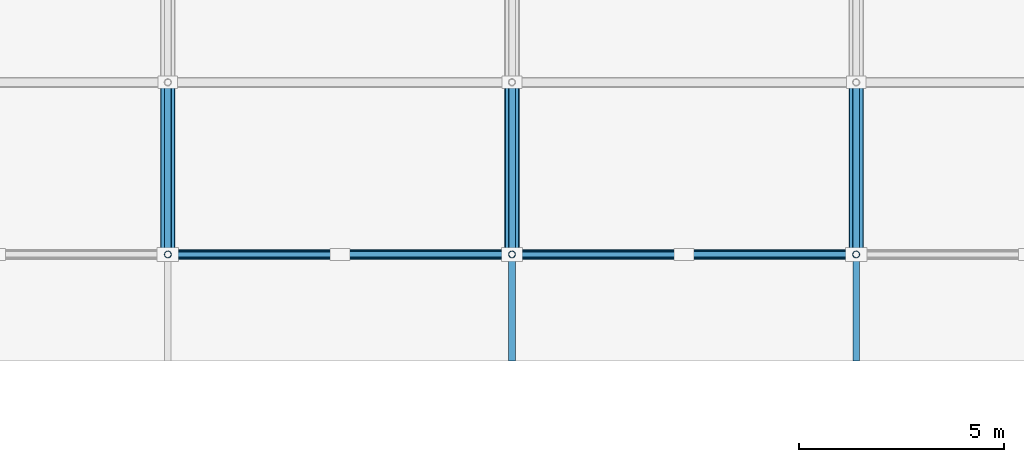
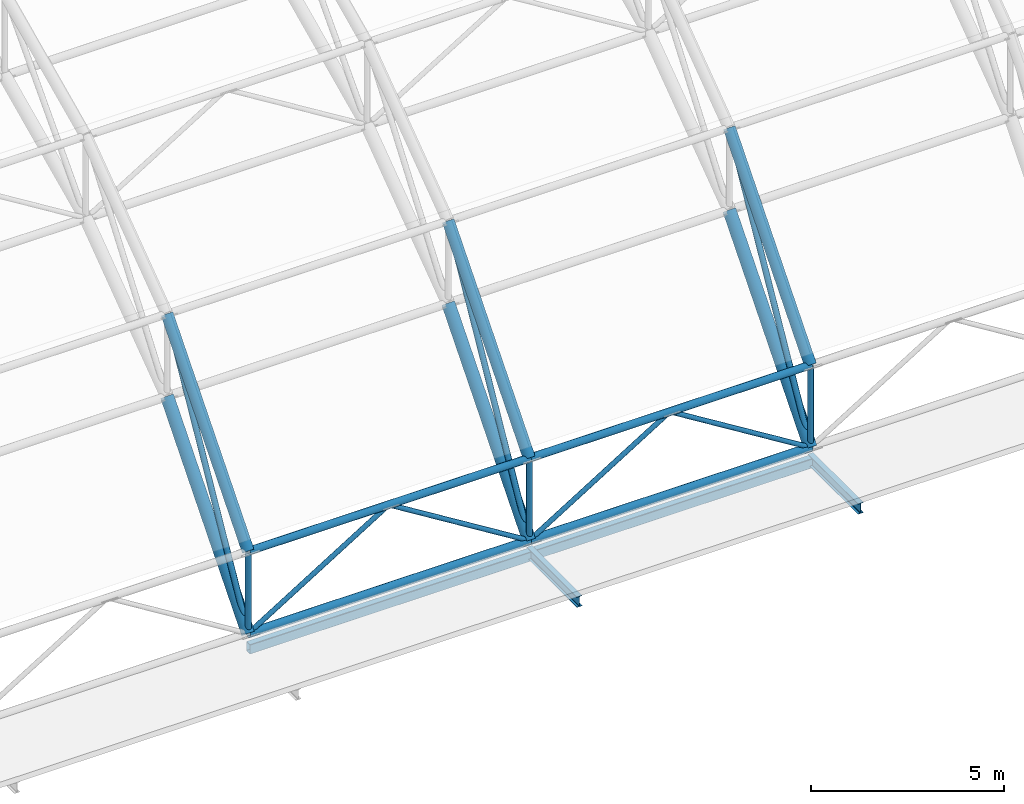
# One storey, part 29 of 103: 14 members, 10 beams.
"""IFC4 building model written with IfcOpenShell, lengths in metres."""

import ifcopenshell
import ifcopenshell.guid

model = None  # the IFC model being written
_history = None  # IfcOwnerHistory: only IFC2X3 demands one
_inside = {}  # id of a spatial element -> (the spatial element, [elements in it])
_under = {}  # id of a project, library or spatial element -> (it, [spatial elements below it])
_declared = {}  # id of a project -> (the project, [libraries it declares])
_typed = {}  # id of a type object -> (the type object, [elements of that type])
_made_of = {}  # id of a material, layer set ... -> (it, [elements and type objects made of it])


def new_model(schema):
    """Start an empty IFC model of exactly this schema.

    Asked for "IFC4X3", IfcOpenShell would pick the latest addendum, in which some entities
    have other attributes; the version numbers below select the first issue.
    IFC2X3 requires an IfcOwnerHistory on every rooted entity: one is made here for all.
    """
    global model, _history
    if schema == "IFC4X3":
        model = ifcopenshell.file(schema_version=(4, 3, 0, 0))
    else:
        model = ifcopenshell.file(schema=schema)
    _inside.clear()
    _under.clear()
    _declared.clear()
    _typed.clear()
    _made_of.clear()
    _history = None
    if model.schema == "IFC2X3":
        org = make("IfcOrganization", Name="unknown")
        user = make(
            "IfcPersonAndOrganization",
            ThePerson=make("IfcPerson", FamilyName="unknown"),
            TheOrganization=org,
        )
        app = make(
            "IfcApplication",
            ApplicationDeveloper=org,
            Version="unknown",
            ApplicationFullName="unknown",
            ApplicationIdentifier="unknown",
        )
        _history = make(
            "IfcOwnerHistory",
            OwningUser=user,
            OwningApplication=app,
            ChangeAction="ADDED",
            CreationDate=0,
        )
    return model


def make(cls, **values):
    """One entity of the class cls with the attributes given. An attribute that is None is left unset."""
    return model.create_entity(
        cls, **{name: value for name, value in values.items() if value is not None}
    )


def rooted(cls, **values):
    """An entity with a GlobalId (a new one), such as an element, a storey or a relation."""
    return make(cls, GlobalId=ifcopenshell.guid.new(), OwnerHistory=_history, **values)


def si_unit(unit_type, name, prefix=None):
    """IfcSIUnit, for example si_unit("LENGTHUNIT", "METRE", prefix="MILLI")."""
    return make("IfcSIUnit", UnitType=unit_type, Prefix=prefix, Name=name)


def assignment(units):
    """IfcUnitAssignment: the units of a project."""
    return None if units is None else make("IfcUnitAssignment", Units=units)


def point(xyz):
    """IfcCartesianPoint."""
    return None if xyz is None else make("IfcCartesianPoint", Coordinates=xyz)


def direction(xyz):
    """IfcDirection."""
    return None if xyz is None else make("IfcDirection", DirectionRatios=xyz)


def frame(location, z_axis=None, x_axis=None):
    """IfcAxis2Placement3D, a coordinate frame: its origin and axes. An axis left out is left unset."""
    return make(
        "IfcAxis2Placement3D",
        Location=point(location),
        Axis=direction(z_axis),
        RefDirection=direction(x_axis),
    )


def frame_2d(location, x_axis=None):
    """IfcAxis2Placement2D, a coordinate frame in the plane: its origin and x axis."""
    return make(
        "IfcAxis2Placement2D", Location=point(location), RefDirection=direction(x_axis)
    )


def origin():
    """The frame at (0, 0, 0) with its axes left unset."""
    return frame((0.0, 0.0, 0.0))


def origin_2d():
    """The frame at (0, 0) in the plane with its x axis left unset."""
    return frame_2d((0.0, 0.0))


def place(relative_to, where):
    """IfcLocalPlacement: puts the frame where relative to a parent placement (None: the world)."""
    return make(
        "IfcLocalPlacement", PlacementRelTo=relative_to, RelativePlacement=where
    )


def context(
    kind, dimensions, precision=None, world=None, true_north=None, identifier=None
):
    """IfcGeometricRepresentationContext, for example the 3D "Model" context."""
    return make(
        "IfcGeometricRepresentationContext",
        ContextIdentifier=identifier,
        ContextType=kind,
        CoordinateSpaceDimension=dimensions,
        Precision=precision,
        WorldCoordinateSystem=world,
        TrueNorth=true_north,
    )


def subcontext(parent, identifier, kind, view, scale=None):
    """IfcGeometricRepresentationSubContext, for example "Body" below "Model"."""
    return make(
        "IfcGeometricRepresentationSubContext",
        ContextIdentifier=identifier,
        ContextType=kind,
        ParentContext=parent,
        TargetScale=scale,
        TargetView=view,
    )


def project(units=None, contexts=None):
    """IfcProject with its units and contexts."""
    return rooted(
        "IfcProject",
        Name="project",
        RepresentationContexts=contexts,
        UnitsInContext=assignment(units),
    )


def spatial(cls, under=None, at=None, **own):
    """A site, building, storey or space (cls), placed at a placement, below another one or the project."""
    s = rooted(cls, ObjectPlacement=at, **own)
    if under is not None:
        _under.setdefault(under.id(), (under, []))[1].append(s)
    return s


def profile(cls, at=None, kind="AREA", **sizes):
    """A parametric profile (cls). Its sizes go by their IFC names, for example OverallWidth=200.0."""
    return make(cls, ProfileType=kind, Position=at, **sizes)


def hollow_rectangle(**sizes):
    """IfcRectangleHollowProfileDef."""
    return profile("IfcRectangleHollowProfileDef", **sizes)


def hollow_circle(**sizes):
    """IfcCircleHollowProfileDef."""
    return profile("IfcCircleHollowProfileDef", **sizes)


def i_section(**sizes):
    """IfcIShapeProfileDef."""
    return profile("IfcIShapeProfileDef", **sizes)


def extrude(swept, where, along, depth):
    """IfcExtrudedAreaSolid: the profile swept, set in the frame where, extruded along a direction by depth."""
    return make(
        "IfcExtrudedAreaSolid",
        SweptArea=swept,
        Position=where,
        ExtrudedDirection=direction(along),
        Depth=depth,
    )


def shape(context_of_items, identifier, shape_type, items):
    """IfcShapeRepresentation: the items that make up one representation, for example the "Body"."""
    return make(
        "IfcShapeRepresentation",
        ContextOfItems=context_of_items,
        RepresentationIdentifier=identifier,
        RepresentationType=shape_type,
        Items=items,
    )


def material(Name=None, Category=None):
    """IfcMaterial."""
    return make("IfcMaterial", Name=Name, Category=Category)


def material_profile(
    of_material, cross_section, Name=None, Category=None, Priority=None
):
    """IfcMaterialProfile: a cross section and its material."""
    return make(
        "IfcMaterialProfile",
        Name=Name,
        Material=of_material,
        Profile=cross_section,
        Priority=Priority,
        Category=Category,
    )


def profile_set(profiles, Name=None, composite=None):
    """IfcMaterialProfileSet."""
    return make(
        "IfcMaterialProfileSet",
        Name=Name,
        MaterialProfiles=profiles,
        CompositeProfile=composite,
    )


def made_of(thing, what):
    """Note that an element or type object is made of a material, layer set ...; save() writes the relation."""
    if what is not None:
        _made_of.setdefault(what.id(), (what, []))[1].append(thing)
    return thing


def type_object(cls, material=None, **own):
    """A type object (cls), such as IfcWallType, which elements share."""
    return made_of(rooted(cls, **own), material)


def element(
    cls,
    number,
    at=None,
    inside=None,
    cuts=None,
    type_object=None,
    material=None,
    context=None,
    identifier="Body",
    shape_type=None,
    held_by="IfcProductDefinitionShape",
    body=None,
    shapes=None,
    **own,
):
    """One element of the class cls, such as IfcWall. Its Tag is "e" and its number.

    at: its placement. inside: the storey or other place that contains it. cuts: it is an
    opening in that element (IfcRelVoidsElement). A single representation is given by context,
    identifier, shape_type and body (its items); several are given by shapes. held_by: the class
    of the entity that holds the representations. save() writes the other relations.
    """
    e = rooted(cls, Tag="e%d" % number, ObjectPlacement=at, **own)
    if body is not None:
        shapes = [shape(context, identifier, shape_type, body)]
    if shapes is not None:
        e.Representation = make(held_by, Representations=shapes)
    if inside is not None:
        _inside.setdefault(inside.id(), (inside, []))[1].append(e)
    if cuts is not None:
        rooted(
            "IfcRelVoidsElement", RelatingBuildingElement=cuts, RelatedOpeningElement=e
        )
    if type_object is not None:
        _typed.setdefault(type_object.id(), (type_object, []))[1].append(e)
    return made_of(e, material)


def aggregate(whole, parts):
    """IfcRelAggregates: a whole, such as a stair, and the parts it consists of."""
    return rooted("IfcRelAggregates", RelatingObject=whole, RelatedObjects=parts)


def save(model, path):
    """Write the relations noted so far, then the file.

    IfcRelAggregates (storeys below a building ...), IfcRelContainedInSpatialStructure (elements
    in a storey), IfcRelDefinesByType, IfcRelAssociatesMaterial and IfcRelDeclares: one each for
    every whole, place, type object, material and project.
    """
    for whole, parts in _under.values():
        aggregate(whole, parts)
    for where, things in _inside.values():
        rooted(
            "IfcRelContainedInSpatialStructure",
            RelatedElements=things,
            RelatingStructure=where,
        )
    for kind, things in _typed.values():
        rooted("IfcRelDefinesByType", RelatedObjects=things, RelatingType=kind)
    for what, things in _made_of.values():
        rooted("IfcRelAssociatesMaterial", RelatedObjects=things, RelatingMaterial=what)
    for by, libraries in _declared.values():
        rooted("IfcRelDeclares", RelatingContext=by, RelatedDefinitions=libraries)
    model.write(path)


model = new_model("IFC4")

# Units and contexts
model_context = context("Model", 3, precision=1e-05, world=origin(), true_north=direction((0.0, 1.0)))
body_context = subcontext(model_context, "Body", "Model", "MODEL_VIEW")
ifc_project = project(units=[si_unit("LENGTHUNIT", "METRE"), si_unit("AREAUNIT", "SQUARE_METRE"), si_unit("VOLUMEUNIT", "CUBIC_METRE"), si_unit("PLANEANGLEUNIT", "RADIAN"), si_unit("MASSUNIT", "GRAM", prefix="KILO")], contexts=[model_context])

# Site, building, storey
site_placement = place(None, origin())
site = spatial("IfcSite", under=ifc_project, at=site_placement, CompositionType="ELEMENT")
building_placement = place(site_placement, origin())
building = spatial("IfcBuilding", under=site, at=building_placement, Name="Varnapada Polytechnic", CompositionType="ELEMENT")
storey_placement = place(building_placement, frame((0.0, 0.0, 18.0)))
storey = spatial("IfcBuildingStorey", under=building, at=storey_placement, Name="L04", CompositionType="ELEMENT", Elevation=18.0)

# Beams
ifc_material = material(Name="Steel S355", Category="steel")
ifc_material_profile_1 = material_profile(ifc_material, i_section(OverallWidth=0.159912109375, OverallDepth=0.330078125, WebThickness=0.007568359375, FlangeThickness=0.011474609375, FilletRadius=0.01806640625, at=origin_2d()), Name="IPE 330")
ifc_profile_set_1 = profile_set([ifc_material_profile_1], Name="Steel S355")
beam_type_1 = type_object("IfcBeamType", Name="Clerestory monitor steel rafter SB-07 (IPE 330)", PredefinedType="BEAM", material=ifc_profile_set_1)
for number, where, z_axis, x_axis, name in (
    (1, (109.199951171875, 84.0, -0.35009765625), (0.0, -1.0, 0.0), (1.0, 0.0, 0.0), "Workshop eave shade outlooker S.8"),
    (2, (117.60009765625, 84.0, -0.35009765625), (0.0, -1.0, 0.0), (1.0, 0.0, 0.0), "Workshop eave shade outlooker S.9"),
):
    element("IfcBeam", number, at=place(storey_placement, frame(where, z_axis=z_axis, x_axis=x_axis)), inside=storey, type_object=beam_type_1, Name=name, PredefinedType="BEAM", context=body_context, shape_type="SweptSolid", body=[
        extrude(i_section(OverallWidth=0.159912109375, OverallDepth=0.330078125, WebThickness=0.007568359375, FlangeThickness=0.011474609375, FilletRadius=0.01806640625, at=origin_2d()), origin(), (0.0, 0.0, 1.0), 2.60009765625),
    ])

# Members
ifc_material_profile_2 = material_profile(ifc_material, hollow_circle(Radius=0.122314453125, WallThickness=0.008056640625, at=origin_2d()), Name="CHS 244.5x8.0")
ifc_profile_set_2 = profile_set([ifc_material_profile_2], Name="Steel S355")
member_type_1 = type_object("IfcMemberType", Name="Vaulted space frame longitudinal bottom chord SFC-01 (CHS 244.5x8.0)", PredefinedType="CHORD", material=ifc_profile_set_2)
member_1_placement = place(storey_placement, frame((100.800048828125, 84.0, 0.0), z_axis=(1.0, 0.0, 0.0), x_axis=(0.0, 1.0, 0.0)))
element("IfcMember", 3, at=member_1_placement, inside=storey, type_object=member_type_1, Name="Vaulted space frame longitudinal bottom chord 7.1", PredefinedType="CHORD", context=body_context, shape_type="SweptSolid", body=[
    extrude(hollow_circle(Radius=0.122314453125, WallThickness=0.008056640625, at=origin_2d()), origin(), (0.0, 0.0, 1.0), 8.39990234375),
])
member_2_placement = place(storey_placement, frame((109.199951171875, 84.0, 0.0), z_axis=(1.0, 0.0, 0.0), x_axis=(0.0, 1.0, 0.0)))
element("IfcMember", 4, at=member_2_placement, inside=storey, type_object=member_type_1, Name="Vaulted space frame longitudinal bottom chord 8.1", PredefinedType="CHORD", context=body_context, shape_type="SweptSolid", body=[
    extrude(hollow_circle(Radius=0.122314453125, WallThickness=0.008056640625, at=origin_2d()), origin(), (0.0, 0.0, 1.0), 8.400146484375),
])
ifc_material_profile_3 = material_profile(ifc_material, hollow_circle(Radius=0.109619140625, WallThickness=0.008056640625, at=origin_2d()), Name="CHS 219.1x8.0")
ifc_profile_set_3 = profile_set([ifc_material_profile_3], Name="Steel S355")
member_type_2 = type_object("IfcMemberType", Name="Vaulted space frame longitudinal top chord SFC-02 (CHS 219.1x8.0)", PredefinedType="CHORD", material=ifc_profile_set_3)
member_3_placement = place(storey_placement, frame((100.800048828125, 84.0, 2.60009765625), z_axis=(1.0, 0.0, 0.0), x_axis=(0.0, 1.0, 0.0)))
element("IfcMember", 5, at=member_3_placement, inside=storey, type_object=member_type_2, Name="Vaulted space frame longitudinal top chord 7.1", PredefinedType="CHORD", context=body_context, shape_type="SweptSolid", body=[
    extrude(hollow_circle(Radius=0.109619140625, WallThickness=0.008056640625, at=origin_2d()), origin(), (0.0, 0.0, 1.0), 8.39990234375),
])
member_4_placement = place(storey_placement, frame((109.199951171875, 84.0, 2.60009765625), z_axis=(1.0, 0.0, 0.0), x_axis=(0.0, 1.0, 0.0)))
element("IfcMember", 6, at=member_4_placement, inside=storey, type_object=member_type_2, Name="Vaulted space frame longitudinal top chord 8.1", PredefinedType="CHORD", context=body_context, shape_type="SweptSolid", body=[
    extrude(hollow_circle(Radius=0.109619140625, WallThickness=0.008056640625, at=origin_2d()), origin(), (0.0, 0.0, 1.0), 8.400146484375),
])

# Beams
ifc_material_profile_4 = material_profile(ifc_material, hollow_circle(Radius=0.177734375, WallThickness=0.012451171875, at=origin_2d()), Name="CHS 355.6x12.5")
ifc_profile_set_4 = profile_set([ifc_material_profile_4], Name="Steel S355")
beam_type_2 = type_object("IfcBeamType", Name="Vaulted space frame primary arch rib VA-01 (CHS 355.6x12.5)", PredefinedType="BEAM", material=ifc_profile_set_4)
for number, where, z_axis, x_axis, name in (
    (7, (100.800048828125, 84.0, 0.0), (0.0, 0.647032448214, 0.762462465279), (-1.0, 0.0, 0.0), "Vaulted space frame bottom arch chord 7.1"),
    (8, (109.199951171875, 84.0, 0.0), (0.0, 0.647032448214, 0.762462465279), (-1.0, 0.0, 0.0), "Vaulted space frame bottom arch chord 8.1"),
    (9, (117.60009765625, 84.0, 0.0), (0.0, 0.647032448214, 0.762462465279), (-1.0, 0.0, 0.0), "Vaulted space frame bottom arch chord 9.1"),
):
    element("IfcBeam", number, at=place(storey_placement, frame(where, z_axis=z_axis, x_axis=x_axis)), inside=storey, type_object=beam_type_2, Name=name, PredefinedType="BEAM", context=body_context, shape_type="SweptSolid", body=[
        extrude(hollow_circle(Radius=0.177734375, WallThickness=0.012451171875, at=origin_2d()), origin(), (0.0, 0.0, 1.0), 6.4912109375),
    ])

# Members
ifc_material_profile_5 = material_profile(ifc_material, hollow_circle(Radius=0.084228515625, WallThickness=0.00634765625, at=origin_2d()), Name="CHS 168.3x6.3")
ifc_profile_set_5 = profile_set([ifc_material_profile_5], Name="Steel S355")
member_type_3 = type_object("IfcMemberType", Name="Vaulted space frame primary web diagonal SFB-01 (CHS 168.3x6.3)", PredefinedType="BRACE", material=ifc_profile_set_5)
for number, where, z_axis, x_axis, name in (
    (10, (100.800048828125, 84.0, 0.0), (0.0, 0.486175535898, 0.873861172209), (-1.0, 0.0, 0.0), "Vaulted space frame web diagonal 7.1"),
    (11, (109.199951171875, 84.0, 0.0), (0.0, 0.486175535898, 0.873861172209), (-1.0, 0.0, 0.0), "Vaulted space frame web diagonal 8.1"),
    (12, (117.60009765625, 84.0, 0.0), (0.0, 0.486175535898, 0.873861172209), (-1.0, 0.0, 0.0), "Vaulted space frame web diagonal 9.1"),
):
    element("IfcMember", number, at=place(storey_placement, frame(where, z_axis=z_axis, x_axis=x_axis)), inside=storey, type_object=member_type_3, Name=name, PredefinedType="BRACE", context=body_context, shape_type="SweptSolid", body=[
        extrude(hollow_circle(Radius=0.084228515625, WallThickness=0.00634765625, at=origin_2d()), origin(), (0.0, 0.0, 1.0), 8.638671875),
    ])
ifc_material_profile_6 = material_profile(ifc_material, hollow_circle(Radius=0.084228515625, WallThickness=0.00634765625, at=origin_2d()), Name="CHS 168.3x6.3")
ifc_profile_set_6 = profile_set([ifc_material_profile_6], Name="Steel S355")
member_type_4 = type_object("IfcMemberType", Name="Vaulted space frame radial web strut SFS-01 (CHS 168.3x6.3)", PredefinedType="STRUT", material=ifc_profile_set_6)
for number, where, z_axis, x_axis, name in (
    (13, (100.800048828125, 84.0, 0.0), (0.0, 0.0, 1.0), (1.0, 0.0, 0.0), "Vaulted space frame strut 7.1"),
    (14, (109.199951171875, 84.0, 0.0), (0.0, 0.0, 1.0), (1.0, 0.0, 0.0), "Vaulted space frame strut 8.1"),
    (15, (117.60009765625, 84.0, 0.0), (0.0, 0.0, 1.0), (1.0, 0.0, 0.0), "Vaulted space frame strut 9.1"),
):
    element("IfcMember", number, at=place(storey_placement, frame(where, z_axis=z_axis, x_axis=x_axis)), inside=storey, type_object=member_type_4, Name=name, PredefinedType="STRUT", context=body_context, shape_type="SweptSolid", body=[
        extrude(hollow_circle(Radius=0.084228515625, WallThickness=0.00634765625, at=origin_2d()), origin(), (0.0, 0.0, 1.0), 2.60009765625),
    ])
ifc_material_profile_7 = material_profile(ifc_material, hollow_circle(Radius=0.06982421875, WallThickness=0.0048828125, at=origin_2d()), Name="CHS 139.7x5.0")
ifc_profile_set_7 = profile_set([ifc_material_profile_7], Name="Steel S355")
member_type_5 = type_object("IfcMemberType", Name="Vaulted space frame secondary web diagonal SFB-02 (CHS 139.7x5.0)", PredefinedType="BRACE", material=ifc_profile_set_7)
for number, where, z_axis, x_axis, name in (
    (16, (100.800048828125, 84.0, 0.0), (0.85025356003, 0.0, 0.526373331065), (0.0, 1.0, 0.0), "Vaulted space frame longitudinal brace 7.1A"),
    (17, (109.199951171875, 84.0, 0.0), (-0.85025356003, 0.0, 0.526373331065), (0.0, -1.0, 0.0), "Vaulted space frame longitudinal brace 7.1B"),
    (18, (109.199951171875, 84.0, 0.0), (0.85025356003, 0.0, 0.526373331065), (0.0, 1.0, 0.0), "Vaulted space frame longitudinal brace 8.1A"),
):
    element("IfcMember", number, at=place(storey_placement, frame(where, z_axis=z_axis, x_axis=x_axis)), inside=storey, type_object=member_type_5, Name=name, PredefinedType="BRACE", context=body_context, shape_type="SweptSolid", body=[
        extrude(hollow_circle(Radius=0.06982421875, WallThickness=0.0048828125, at=origin_2d()), origin(), (0.0, 0.0, 1.0), 4.939697265625),
    ])
member_5_placement = place(storey_placement, frame((117.60009765625, 84.0, 0.0), z_axis=(-0.85026725322, 0.0, 0.526351211741), x_axis=(0.0, -1.0, 0.0)))
element("IfcMember", 19, at=member_5_placement, inside=storey, type_object=member_type_5, Name="Vaulted space frame longitudinal brace 8.1B", PredefinedType="BRACE", context=body_context, shape_type="SweptSolid", body=[
    extrude(hollow_circle(Radius=0.06982421875, WallThickness=0.0048828125, at=origin_2d()), origin(), (0.0, 0.0, 1.0), 4.93994140625),
])

# Beams
ifc_material_profile_8 = material_profile(ifc_material, hollow_circle(Radius=0.161865234375, WallThickness=0.010009765625, at=origin_2d()), Name="CHS 323.9x10.0")
ifc_profile_set_8 = profile_set([ifc_material_profile_8], Name="Steel S355")
beam_type_3 = type_object("IfcBeamType", Name="Vaulted space frame upper arch rib VA-02 (CHS 323.9x10.0)", PredefinedType="BEAM", material=ifc_profile_set_8)
for number, where, z_axis, x_axis, name in (
    (20, (100.800048828125, 84.0, 2.60009765625), (0.0, 0.647051003787, 0.762446718465), (-1.0, 0.0, 0.0), "Vaulted space frame top arch chord 7.1"),
    (21, (109.199951171875, 84.0, 2.60009765625), (0.0, 0.647051003787, 0.762446718465), (-1.0, 0.0, 0.0), "Vaulted space frame top arch chord 8.1"),
    (22, (117.60009765625, 84.0, 2.60009765625), (0.0, 0.647051003787, 0.762446718465), (-1.0, 0.0, 0.0), "Vaulted space frame top arch chord 9.1"),
):
    element("IfcBeam", number, at=place(storey_placement, frame(where, z_axis=z_axis, x_axis=x_axis)), inside=storey, type_object=beam_type_3, Name=name, PredefinedType="BEAM", context=body_context, shape_type="SweptSolid", body=[
        extrude(hollow_circle(Radius=0.161865234375, WallThickness=0.010009765625, at=origin_2d()), origin(), (0.0, 0.0, 1.0), 6.490966796875),
    ])
ifc_material_profile_9 = material_profile(ifc_material, hollow_rectangle(XDim=0.199951171875, YDim=0.300048828125, WallThickness=0.010009765625, InnerFilletRadius=0.010009765625, OuterFilletRadius=0.02001953125, at=origin_2d()), Name="RHS 300x200x10")
ifc_profile_set_9 = profile_set([ifc_material_profile_9], Name="Steel S355")
beam_type_4 = type_object("IfcBeamType", Name="Workshop steel spandrel tie SP-03 (RHS 300x200x10)", PredefinedType="SPANDREL", material=ifc_profile_set_9)
beam_1_placement = place(storey_placement, frame((100.800048828125, 84.0, -0.449951171875), z_axis=(1.0, 0.0, 0.0), x_axis=(0.0, 1.0, 0.0)))
element("IfcBeam", 23, at=beam_1_placement, inside=storey, type_object=beam_type_4, Name="L04 workshop clerestory tie X13-14 Y11", PredefinedType="SPANDREL", context=body_context, shape_type="SweptSolid", body=[
    extrude(hollow_rectangle(XDim=0.199951171875, YDim=0.300048828125, WallThickness=0.010009765625, InnerFilletRadius=0.010009765625, OuterFilletRadius=0.02001953125, at=origin_2d()), origin(), (0.0, 0.0, 1.0), 8.39990234375),
])
beam_2_placement = place(storey_placement, frame((109.199951171875, 84.0, -0.449951171875), z_axis=(1.0, 0.0, 0.0), x_axis=(0.0, 1.0, 0.0)))
element("IfcBeam", 24, at=beam_2_placement, inside=storey, type_object=beam_type_4, Name="L04 workshop clerestory tie X14-15 Y11", PredefinedType="SPANDREL", context=body_context, shape_type="SweptSolid", body=[
    extrude(hollow_rectangle(XDim=0.199951171875, YDim=0.300048828125, WallThickness=0.010009765625, InnerFilletRadius=0.010009765625, OuterFilletRadius=0.02001953125, at=origin_2d()), origin(), (0.0, 0.0, 1.0), 8.400146484375),
])

save(model, "model.ifc")
